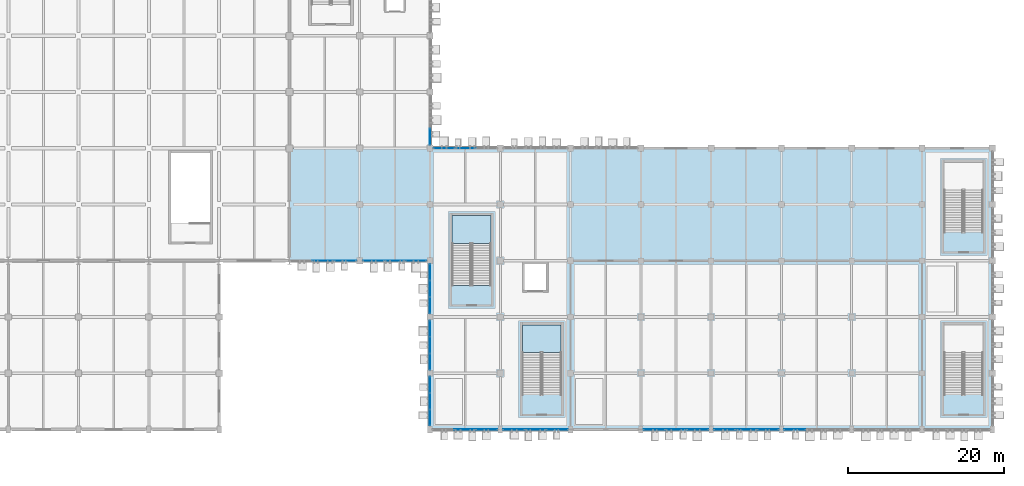
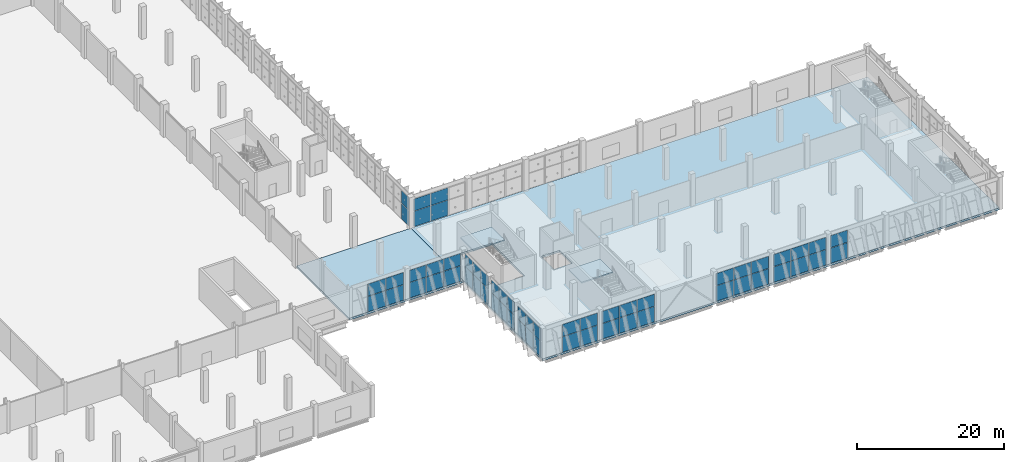
# One storey, part 73 of 137: 58 plates, 4 slabs, 14 elements without a shape of their own.
"""IFC4 building model written with IfcOpenShell, lengths in metres."""

from ifc_helpers import new_model, si_unit, direction, frame, origin, origin_2d, place, context, subcontext, project, spatial, polyline, rectangle, outline, extrude, material, layer, layer_set, type_object, element, aggregate, save


model = new_model("IFC4")

# Units and contexts
model_context = context("Model", 3, precision=1e-05, world=origin(), true_north=direction((0.0, 1.0)))
body_context = subcontext(model_context, "Body", "Model", "MODEL_VIEW")
ifc_project = project(units=[si_unit("LENGTHUNIT", "METRE"), si_unit("AREAUNIT", "SQUARE_METRE"), si_unit("VOLUMEUNIT", "CUBIC_METRE"), si_unit("PLANEANGLEUNIT", "RADIAN"), si_unit("MASSUNIT", "GRAM", prefix="KILO")], contexts=[model_context])

# Site, building, storey
site_placement = place(None, origin())
site = spatial("IfcSite", under=ifc_project, at=site_placement, CompositionType="ELEMENT")
building_placement = place(site_placement, origin())
building = spatial("IfcBuilding", under=site, at=building_placement, Name="Celestram Park Convention Centre", CompositionType="ELEMENT")
storey_placement = place(building_placement, origin())
storey = spatial("IfcBuildingStorey", under=building, at=storey_placement, Name="L00", CompositionType="ELEMENT", Elevation=0.0)

# Curtain wall, plates
ifc_material_1 = material(Name="Anodised Aluminium Alloy 6063-T6", Category="aluminium")
ifc_layer_1 = layer(ifc_material_1, 0.179931640625)
ifc_layer_set_1 = layer_set([ifc_layer_1], Name="Anodised Aluminium Alloy 6063-T6")
curtain_wall_type_1 = type_object("IfcCurtainWallType", Name="ARC-CW-640X482", PredefinedType="NOTDEFINED", material=ifc_layer_set_1)
curtain_wall_1_placement = place(storey_placement, origin())
curtain_wall_1 = element("IfcCurtainWall", 1, at=curtain_wall_1_placement, inside=storey, type_object=curtain_wall_type_1, Name="Unitised curtain wall CU-L00-017", PredefinedType="NOTDEFINED")
ifc_material_2 = material(Name="Insulated Glazing Unit 28 mm", Category="glass")
ifc_layer_2 = layer(ifc_material_2, 0.028076171875)
ifc_layer_set_2 = layer_set([ifc_layer_2], Name="Insulated Glazing Unit 28 mm")
plate_type_1 = type_object("IfcPlateType", Name="ARC-CWP-IGU28", PredefinedType="CURTAIN_PANEL", material=ifc_layer_set_2)
plate_1_placement = place(storey_placement, frame((144.0, 37.481689453125, 0.06005859375), z_axis=(0.0, 0.0, 1.0), x_axis=(0.0, -1.0, 0.0)))
plate_1 = element("IfcPlate", 2, at=plate_1_placement, type_object=plate_type_1, Name="CW-64X48 panel 3.1", PredefinedType="CURTAIN_PANEL", context=body_context, shape_type="SweptSolid", body=[
    extrude(rectangle(XDim=2.037109375, YDim=0.028076171875, at=origin_2d()), origin(), (0.0, 0.0, 1.0), 2.56005859375),
])
plate_2_placement = place(storey_placement, frame((144.0, 37.481689453125, 2.679931640625), z_axis=(0.0, 0.0, 1.0), x_axis=(0.0, -1.0, 0.0)))
plate_2 = element("IfcPlate", 3, at=plate_2_placement, type_object=plate_type_1, Name="CW-64X48 panel 3.2", PredefinedType="CURTAIN_PANEL", context=body_context, shape_type="SweptSolid", body=[
    extrude(rectangle(XDim=2.037109375, YDim=0.028076171875, at=origin_2d()), origin(), (0.0, 0.0, 1.0), 2.080078125),
])
aggregate(curtain_wall_1, [plate_1, plate_2])

ifc_layer_3 = layer(ifc_material_1, 0.179931640625)
ifc_layer_set_3 = layer_set([ifc_layer_3], Name="Anodised Aluminium Alloy 6063-T6")
curtain_wall_type_2 = type_object("IfcCurtainWallType", Name="ARC-CW-635X482", PredefinedType="NOTDEFINED", material=ifc_layer_set_3)
curtain_wall_2_placement = place(storey_placement, origin())
curtain_wall_2 = element("IfcCurtainWall", 4, at=curtain_wall_2_placement, inside=storey, type_object=curtain_wall_type_2, Name="Unitised curtain wall CU-L00-033", PredefinedType="NOTDEFINED")
plate_3_placement = place(storey_placement, frame((144.0, 1.523193359375, 0.06005859375), z_axis=(0.0, 0.0, 1.0), x_axis=(0.0, 1.0, 0.0)))
plate_3 = element("IfcPlate", 5, at=plate_3_placement, type_object=plate_type_1, Name="CW-63X48 panel 1.1", PredefinedType="CURTAIN_PANEL", context=body_context, shape_type="SweptSolid", body=[
    extrude(rectangle(XDim=2.0205078125, YDim=0.028076171875, at=origin_2d()), origin(), (0.0, 0.0, 1.0), 2.56005859375),
])
plate_4_placement = place(storey_placement, frame((144.0, 1.523193359375, 2.679931640625), z_axis=(0.0, 0.0, 1.0), x_axis=(0.0, 1.0, 0.0)))
plate_4 = element("IfcPlate", 6, at=plate_4_placement, type_object=plate_type_1, Name="CW-63X48 panel 1.2", PredefinedType="CURTAIN_PANEL", context=body_context, shape_type="SweptSolid", body=[
    extrude(rectangle(XDim=2.0205078125, YDim=0.028076171875, at=origin_2d()), origin(), (0.0, 0.0, 1.0), 2.080078125),
])
plate_5_placement = place(storey_placement, frame((144.0, 3.625, 0.06005859375), z_axis=(0.0, 0.0, 1.0), x_axis=(0.0, 1.0, 0.0)))
plate_5 = element("IfcPlate", 7, at=plate_5_placement, type_object=plate_type_1, Name="CW-63X48 panel 2.1", PredefinedType="CURTAIN_PANEL", context=body_context, shape_type="SweptSolid", body=[
    extrude(rectangle(XDim=2.052978515625, YDim=0.028076171875, at=origin_2d()), origin(), (0.0, 0.0, 1.0), 2.56005859375),
])
plate_6_placement = place(storey_placement, frame((144.0, 3.625, 2.679931640625), z_axis=(0.0, 0.0, 1.0), x_axis=(0.0, 1.0, 0.0)))
plate_6 = element("IfcPlate", 8, at=plate_6_placement, type_object=plate_type_1, Name="CW-63X48 panel 2.2", PredefinedType="CURTAIN_PANEL", context=body_context, shape_type="SweptSolid", body=[
    extrude(rectangle(XDim=2.052978515625, YDim=0.028076171875, at=origin_2d()), origin(), (0.0, 0.0, 1.0), 2.080078125),
])
plate_7_placement = place(storey_placement, frame((144.0, 5.726806640625, 0.06005859375), z_axis=(0.0, 0.0, 1.0), x_axis=(0.0, 1.0, 0.0)))
plate_7 = element("IfcPlate", 9, at=plate_7_placement, type_object=plate_type_1, Name="CW-63X48 panel 3.1", PredefinedType="CURTAIN_PANEL", context=body_context, shape_type="SweptSolid", body=[
    extrude(rectangle(XDim=2.0205078125, YDim=0.028076171875, at=origin_2d()), origin(), (0.0, 0.0, 1.0), 2.56005859375),
])
plate_8_placement = place(storey_placement, frame((144.0, 5.726806640625, 2.679931640625), z_axis=(0.0, 0.0, 1.0), x_axis=(0.0, 1.0, 0.0)))
plate_8 = element("IfcPlate", 10, at=plate_8_placement, type_object=plate_type_1, Name="CW-63X48 panel 3.2", PredefinedType="CURTAIN_PANEL", context=body_context, shape_type="SweptSolid", body=[
    extrude(rectangle(XDim=2.0205078125, YDim=0.028076171875, at=origin_2d()), origin(), (0.0, 0.0, 1.0), 2.080078125),
])
aggregate(curtain_wall_2, [plate_3, plate_4, plate_5, plate_6, plate_7, plate_8])

curtain_wall_3_placement = place(storey_placement, origin())
curtain_wall_3 = element("IfcCurtainWall", 11, at=curtain_wall_3_placement, inside=storey, type_object=curtain_wall_type_1, Name="Unitised curtain wall CU-L00-034", PredefinedType="NOTDEFINED")
plate_9_placement = place(storey_placement, frame((144.0, 8.681640625, 0.06005859375), z_axis=(0.0, 0.0, 1.0), x_axis=(0.0, 1.0, 0.0)))
plate_9 = element("IfcPlate", 12, at=plate_9_placement, type_object=plate_type_1, Name="CW-64X48 panel 1.1", PredefinedType="CURTAIN_PANEL", context=body_context, shape_type="SweptSolid", body=[
    extrude(rectangle(XDim=2.037109375, YDim=0.028076171875, at=origin_2d()), origin(), (0.0, 0.0, 1.0), 2.56005859375),
])
plate_10_placement = place(storey_placement, frame((144.0, 8.681640625, 2.679931640625), z_axis=(0.0, 0.0, 1.0), x_axis=(0.0, 1.0, 0.0)))
plate_10 = element("IfcPlate", 13, at=plate_10_placement, type_object=plate_type_1, Name="CW-64X48 panel 1.2", PredefinedType="CURTAIN_PANEL", context=body_context, shape_type="SweptSolid", body=[
    extrude(rectangle(XDim=2.037109375, YDim=0.028076171875, at=origin_2d()), origin(), (0.0, 0.0, 1.0), 2.080078125),
])
plate_11_placement = place(storey_placement, frame((144.0, 10.800048828125, 0.06005859375), z_axis=(0.0, 0.0, 1.0), x_axis=(0.0, 1.0, 0.0)))
plate_11 = element("IfcPlate", 14, at=plate_11_placement, type_object=plate_type_1, Name="CW-64X48 panel 2.1", PredefinedType="CURTAIN_PANEL", context=body_context, shape_type="SweptSolid", body=[
    extrude(rectangle(XDim=2.069580078125, YDim=0.028076171875, at=origin_2d()), origin(), (0.0, 0.0, 1.0), 2.56005859375),
])
plate_12_placement = place(storey_placement, frame((144.0, 10.800048828125, 2.679931640625), z_axis=(0.0, 0.0, 1.0), x_axis=(0.0, 1.0, 0.0)))
plate_12 = element("IfcPlate", 15, at=plate_12_placement, type_object=plate_type_1, Name="CW-64X48 panel 2.2", PredefinedType="CURTAIN_PANEL", context=body_context, shape_type="SweptSolid", body=[
    extrude(rectangle(XDim=2.069580078125, YDim=0.028076171875, at=origin_2d()), origin(), (0.0, 0.0, 1.0), 2.080078125),
])
plate_13_placement = place(storey_placement, frame((144.0, 12.91845703125, 0.06005859375), z_axis=(0.0, 0.0, 1.0), x_axis=(0.0, 1.0, 0.0)))
plate_13 = element("IfcPlate", 16, at=plate_13_placement, type_object=plate_type_1, Name="CW-64X48 panel 3.1", PredefinedType="CURTAIN_PANEL", context=body_context, shape_type="SweptSolid", body=[
    extrude(rectangle(XDim=2.037109375, YDim=0.028076171875, at=origin_2d()), origin(), (0.0, 0.0, 1.0), 2.56005859375),
])
plate_14_placement = place(storey_placement, frame((144.0, 12.91845703125, 2.679931640625), z_axis=(0.0, 0.0, 1.0), x_axis=(0.0, 1.0, 0.0)))
plate_14 = element("IfcPlate", 17, at=plate_14_placement, type_object=plate_type_1, Name="CW-64X48 panel 3.2", PredefinedType="CURTAIN_PANEL", context=body_context, shape_type="SweptSolid", body=[
    extrude(rectangle(XDim=2.037109375, YDim=0.028076171875, at=origin_2d()), origin(), (0.0, 0.0, 1.0), 2.080078125),
])
aggregate(curtain_wall_3, [plate_9, plate_10, plate_11, plate_12, plate_13, plate_14])

curtain_wall_4_placement = place(storey_placement, origin())
curtain_wall_4 = element("IfcCurtainWall", 18, at=curtain_wall_4_placement, inside=storey, type_object=curtain_wall_type_1, Name="Unitised curtain wall CU-L00-035", PredefinedType="NOTDEFINED")
plate_15_placement = place(storey_placement, frame((144.0, 15.881591796875, 0.06005859375), z_axis=(0.0, 0.0, 1.0), x_axis=(0.0, 1.0, 0.0)))
plate_15 = element("IfcPlate", 19, at=plate_15_placement, type_object=plate_type_1, Name="CW-64X48 panel 1.1", PredefinedType="CURTAIN_PANEL", context=body_context, shape_type="SweptSolid", body=[
    extrude(rectangle(XDim=2.037109375, YDim=0.028076171875, at=origin_2d()), origin(), (0.0, 0.0, 1.0), 2.56005859375),
])
plate_16_placement = place(storey_placement, frame((144.0, 15.881591796875, 2.679931640625), z_axis=(0.0, 0.0, 1.0), x_axis=(0.0, 1.0, 0.0)))
plate_16 = element("IfcPlate", 20, at=plate_16_placement, type_object=plate_type_1, Name="CW-64X48 panel 1.2", PredefinedType="CURTAIN_PANEL", context=body_context, shape_type="SweptSolid", body=[
    extrude(rectangle(XDim=2.037109375, YDim=0.028076171875, at=origin_2d()), origin(), (0.0, 0.0, 1.0), 2.080078125),
])
plate_17_placement = place(storey_placement, frame((144.0, 18.0, 0.06005859375), z_axis=(0.0, 0.0, 1.0), x_axis=(0.0, 1.0, 0.0)))
plate_17 = element("IfcPlate", 21, at=plate_17_placement, type_object=plate_type_1, Name="CW-64X48 panel 2.1", PredefinedType="CURTAIN_PANEL", context=body_context, shape_type="SweptSolid", body=[
    extrude(rectangle(XDim=2.069580078125, YDim=0.028076171875, at=origin_2d()), origin(), (0.0, 0.0, 1.0), 2.56005859375),
])
plate_18_placement = place(storey_placement, frame((144.0, 18.0, 2.679931640625), z_axis=(0.0, 0.0, 1.0), x_axis=(0.0, 1.0, 0.0)))
plate_18 = element("IfcPlate", 22, at=plate_18_placement, type_object=plate_type_1, Name="CW-64X48 panel 2.2", PredefinedType="CURTAIN_PANEL", context=body_context, shape_type="SweptSolid", body=[
    extrude(rectangle(XDim=2.069580078125, YDim=0.028076171875, at=origin_2d()), origin(), (0.0, 0.0, 1.0), 2.080078125),
])
plate_19_placement = place(storey_placement, frame((144.0, 20.118408203125, 0.06005859375), z_axis=(0.0, 0.0, 1.0), x_axis=(0.0, 1.0, 0.0)))
plate_19 = element("IfcPlate", 23, at=plate_19_placement, type_object=plate_type_1, Name="CW-64X48 panel 3.1", PredefinedType="CURTAIN_PANEL", context=body_context, shape_type="SweptSolid", body=[
    extrude(rectangle(XDim=2.037109375, YDim=0.028076171875, at=origin_2d()), origin(), (0.0, 0.0, 1.0), 2.56005859375),
])
plate_20_placement = place(storey_placement, frame((144.0, 20.118408203125, 2.679931640625), z_axis=(0.0, 0.0, 1.0), x_axis=(0.0, 1.0, 0.0)))
plate_20 = element("IfcPlate", 24, at=plate_20_placement, type_object=plate_type_1, Name="CW-64X48 panel 3.2", PredefinedType="CURTAIN_PANEL", context=body_context, shape_type="SweptSolid", body=[
    extrude(rectangle(XDim=2.037109375, YDim=0.028076171875, at=origin_2d()), origin(), (0.0, 0.0, 1.0), 2.080078125),
])
aggregate(curtain_wall_4, [plate_15, plate_16, plate_17, plate_18, plate_19, plate_20])

ifc_layer_4 = layer(ifc_material_1, 0.179931640625)
ifc_layer_set_4 = layer_set([ifc_layer_4], Name="Anodised Aluminium Alloy 6063-T6")
curtain_wall_type_3 = type_object("IfcCurtainWallType", Name="ARC-CW-820X475", PredefinedType="NOTDEFINED", material=ifc_layer_set_4)
curtain_wall_5_placement = place(storey_placement, origin())
curtain_wall_5 = element("IfcCurtainWall", 25, at=curtain_wall_5_placement, inside=storey, type_object=curtain_wall_type_3, Name="Unitised curtain wall CU-L00-018", PredefinedType="NOTDEFINED")
ifc_material_3 = material(Name="Insulated Glazing Unit 38 mm", Category="glass")
ifc_layer_5 = layer(ifc_material_3, 0.0380859375)
ifc_layer_set_5 = layer_set([ifc_layer_5], Name="Insulated Glazing Unit 38 mm")
plate_type_2 = type_object("IfcPlateType", Name="ARC-CWP-IGU38", PredefinedType="CURTAIN_PANEL", material=ifc_layer_set_5)
plate_21_placement = place(storey_placement, frame((145.7841796875, 36.0, 0.06494140625), z_axis=(0.0, 0.0, 1.0), x_axis=(1.0, 0.0, 0.0)))
plate_21 = element("IfcPlate", 26, at=plate_21_placement, type_object=plate_type_2, Name="CW-82X47 panel 1.1", PredefinedType="CURTAIN_PANEL", context=body_context, shape_type="SweptSolid", body=[
    extrude(rectangle(XDim=2.6220703125, YDim=0.0380859375, at=origin_2d()), origin(), (0.0, 0.0, 1.0), 2.552490234375),
])
plate_22_placement = place(storey_placement, frame((145.7841796875, 36.0, 2.682373046875), z_axis=(0.0, 0.0, 1.0), x_axis=(1.0, 0.0, 0.0)))
plate_22 = element("IfcPlate", 27, at=plate_22_placement, type_object=plate_type_2, Name="CW-82X47 panel 1.2", PredefinedType="CURTAIN_PANEL", context=body_context, shape_type="SweptSolid", body=[
    extrude(rectangle(XDim=2.6220703125, YDim=0.0380859375, at=origin_2d()), origin(), (0.0, 0.0, 1.0), 1.99951171875),
])
plate_23_placement = place(storey_placement, frame((148.5, 36.0, 0.06494140625), z_axis=(0.0, 0.0, 1.0), x_axis=(1.0, 0.0, 0.0)))
plate_23 = element("IfcPlate", 28, at=plate_23_placement, type_object=plate_type_2, Name="CW-82X47 panel 2.1", PredefinedType="CURTAIN_PANEL", context=body_context, shape_type="SweptSolid", body=[
    extrude(rectangle(XDim=2.65966796875, YDim=0.0380859375, at=origin_2d()), origin(), (0.0, 0.0, 1.0), 2.552490234375),
])
plate_24_placement = place(storey_placement, frame((148.5, 36.0, 2.682373046875), z_axis=(0.0, 0.0, 1.0), x_axis=(1.0, 0.0, 0.0)))
plate_24 = element("IfcPlate", 29, at=plate_24_placement, type_object=plate_type_2, Name="CW-82X47 panel 2.2", PredefinedType="CURTAIN_PANEL", context=body_context, shape_type="SweptSolid", body=[
    extrude(rectangle(XDim=2.65966796875, YDim=0.0380859375, at=origin_2d()), origin(), (0.0, 0.0, 1.0), 1.99951171875),
])
aggregate(curtain_wall_5, [plate_21, plate_22, plate_23, plate_24])

ifc_layer_6 = layer(ifc_material_1, 0.179931640625)
ifc_layer_set_6 = layer_set([ifc_layer_6], Name="Anodised Aluminium Alloy 6063-T6")
curtain_wall_type_4 = type_object("IfcCurtainWallType", Name="ARC-CW-840X475", PredefinedType="NOTDEFINED", material=ifc_layer_set_6)
curtain_wall_6_placement = place(storey_placement, origin())
curtain_wall_6 = element("IfcCurtainWall", 30, at=curtain_wall_6_placement, inside=storey, type_object=curtain_wall_type_4, Name="Unitised curtain wall CU-L00-028", PredefinedType="NOTDEFINED")
plate_25_placement = place(storey_placement, frame((190.717529296875, 0.0, 0.06494140625), z_axis=(0.0, 0.0, 1.0), x_axis=(-1.0, 0.0, 0.0)))
plate_25 = element("IfcPlate", 31, at=plate_25_placement, type_object=plate_type_2, Name="CW-84X47 panel 3.1", PredefinedType="CURTAIN_PANEL", context=body_context, shape_type="SweptSolid", body=[
    extrude(rectangle(XDim=2.688720703125, YDim=0.0380859375, at=origin_2d()), origin(), (0.0, 0.0, 1.0), 2.552490234375),
])
plate_26_placement = place(storey_placement, frame((190.717529296875, 0.0, 2.682373046875), z_axis=(0.0, 0.0, 1.0), x_axis=(-1.0, 0.0, 0.0)))
plate_26 = element("IfcPlate", 32, at=plate_26_placement, type_object=plate_type_2, Name="CW-84X47 panel 3.2", PredefinedType="CURTAIN_PANEL", context=body_context, shape_type="SweptSolid", body=[
    extrude(rectangle(XDim=2.688720703125, YDim=0.0380859375, at=origin_2d()), origin(), (0.0, 0.0, 1.0), 1.99951171875),
])
aggregate(curtain_wall_6, [plate_25, plate_26])

curtain_wall_7_placement = place(storey_placement, origin())
curtain_wall_7 = element("IfcCurtainWall", 33, at=curtain_wall_7_placement, inside=storey, type_object=curtain_wall_type_4, Name="Unitised curtain wall CU-L00-029", PredefinedType="NOTDEFINED")
plate_27_placement = place(storey_placement, frame((187.282470703125, 0.0, 0.06494140625), z_axis=(0.0, 0.0, 1.0), x_axis=(-1.0, 0.0, 0.0)))
plate_27 = element("IfcPlate", 34, at=plate_27_placement, type_object=plate_type_2, Name="CW-84X47 panel 1.1", PredefinedType="CURTAIN_PANEL", context=body_context, shape_type="SweptSolid", body=[
    extrude(rectangle(XDim=2.688720703125, YDim=0.0380859375, at=origin_2d()), origin(), (0.0, 0.0, 1.0), 2.552490234375),
])
plate_28_placement = place(storey_placement, frame((187.282470703125, 0.0, 2.682373046875), z_axis=(0.0, 0.0, 1.0), x_axis=(-1.0, 0.0, 0.0)))
plate_28 = element("IfcPlate", 35, at=plate_28_placement, type_object=plate_type_2, Name="CW-84X47 panel 1.2", PredefinedType="CURTAIN_PANEL", context=body_context, shape_type="SweptSolid", body=[
    extrude(rectangle(XDim=2.688720703125, YDim=0.0380859375, at=origin_2d()), origin(), (0.0, 0.0, 1.0), 1.99951171875),
])
plate_29_placement = place(storey_placement, frame((184.5, 0.0, 0.06494140625), z_axis=(0.0, 0.0, 1.0), x_axis=(-1.0, 0.0, 0.0)))
plate_29 = element("IfcPlate", 36, at=plate_29_placement, type_object=plate_type_2, Name="CW-84X47 panel 2.1", PredefinedType="CURTAIN_PANEL", context=body_context, shape_type="SweptSolid", body=[
    extrude(rectangle(XDim=2.726318359375, YDim=0.0380859375, at=origin_2d()), origin(), (0.0, 0.0, 1.0), 2.552490234375),
])
plate_30_placement = place(storey_placement, frame((184.5, 0.0, 2.682373046875), z_axis=(0.0, 0.0, 1.0), x_axis=(-1.0, 0.0, 0.0)))
plate_30 = element("IfcPlate", 37, at=plate_30_placement, type_object=plate_type_2, Name="CW-84X47 panel 2.2", PredefinedType="CURTAIN_PANEL", context=body_context, shape_type="SweptSolid", body=[
    extrude(rectangle(XDim=2.726318359375, YDim=0.0380859375, at=origin_2d()), origin(), (0.0, 0.0, 1.0), 1.99951171875),
])
plate_31_placement = place(storey_placement, frame((181.717529296875, 0.0, 0.06494140625), z_axis=(0.0, 0.0, 1.0), x_axis=(-1.0, 0.0, 0.0)))
plate_31 = element("IfcPlate", 38, at=plate_31_placement, type_object=plate_type_2, Name="CW-84X47 panel 3.1", PredefinedType="CURTAIN_PANEL", context=body_context, shape_type="SweptSolid", body=[
    extrude(rectangle(XDim=2.688720703125, YDim=0.0380859375, at=origin_2d()), origin(), (0.0, 0.0, 1.0), 2.552490234375),
])
plate_32_placement = place(storey_placement, frame((181.717529296875, 0.0, 2.682373046875), z_axis=(0.0, 0.0, 1.0), x_axis=(-1.0, 0.0, 0.0)))
plate_32 = element("IfcPlate", 39, at=plate_32_placement, type_object=plate_type_2, Name="CW-84X47 panel 3.2", PredefinedType="CURTAIN_PANEL", context=body_context, shape_type="SweptSolid", body=[
    extrude(rectangle(XDim=2.688720703125, YDim=0.0380859375, at=origin_2d()), origin(), (0.0, 0.0, 1.0), 1.99951171875),
])
aggregate(curtain_wall_7, [plate_27, plate_28, plate_29, plate_30, plate_31, plate_32])

curtain_wall_8_placement = place(storey_placement, origin())
curtain_wall_8 = element("IfcCurtainWall", 40, at=curtain_wall_8_placement, inside=storey, type_object=curtain_wall_type_4, Name="Unitised curtain wall CU-L00-030", PredefinedType="NOTDEFINED")
plate_33_placement = place(storey_placement, frame((178.282470703125, 0.0, 0.06494140625), z_axis=(0.0, 0.0, 1.0), x_axis=(-1.0, 0.0, 0.0)))
plate_33 = element("IfcPlate", 41, at=plate_33_placement, type_object=plate_type_2, Name="CW-84X47 panel 1.1", PredefinedType="CURTAIN_PANEL", context=body_context, shape_type="SweptSolid", body=[
    extrude(rectangle(XDim=2.688720703125, YDim=0.0380859375, at=origin_2d()), origin(), (0.0, 0.0, 1.0), 2.552490234375),
])
plate_34_placement = place(storey_placement, frame((178.282470703125, 0.0, 2.682373046875), z_axis=(0.0, 0.0, 1.0), x_axis=(-1.0, 0.0, 0.0)))
plate_34 = element("IfcPlate", 42, at=plate_34_placement, type_object=plate_type_2, Name="CW-84X47 panel 1.2", PredefinedType="CURTAIN_PANEL", context=body_context, shape_type="SweptSolid", body=[
    extrude(rectangle(XDim=2.688720703125, YDim=0.0380859375, at=origin_2d()), origin(), (0.0, 0.0, 1.0), 1.99951171875),
])
plate_35_placement = place(storey_placement, frame((175.5, 0.0, 0.06494140625), z_axis=(0.0, 0.0, 1.0), x_axis=(-1.0, 0.0, 0.0)))
plate_35 = element("IfcPlate", 43, at=plate_35_placement, type_object=plate_type_2, Name="CW-84X47 panel 2.1", PredefinedType="CURTAIN_PANEL", context=body_context, shape_type="SweptSolid", body=[
    extrude(rectangle(XDim=2.726318359375, YDim=0.0380859375, at=origin_2d()), origin(), (0.0, 0.0, 1.0), 2.552490234375),
])
plate_36_placement = place(storey_placement, frame((175.5, 0.0, 2.682373046875), z_axis=(0.0, 0.0, 1.0), x_axis=(-1.0, 0.0, 0.0)))
plate_36 = element("IfcPlate", 44, at=plate_36_placement, type_object=plate_type_2, Name="CW-84X47 panel 2.2", PredefinedType="CURTAIN_PANEL", context=body_context, shape_type="SweptSolid", body=[
    extrude(rectangle(XDim=2.726318359375, YDim=0.0380859375, at=origin_2d()), origin(), (0.0, 0.0, 1.0), 1.99951171875),
])
plate_37_placement = place(storey_placement, frame((172.717529296875, 0.0, 0.06494140625), z_axis=(0.0, 0.0, 1.0), x_axis=(-1.0, 0.0, 0.0)))
plate_37 = element("IfcPlate", 45, at=plate_37_placement, type_object=plate_type_2, Name="CW-84X47 panel 3.1", PredefinedType="CURTAIN_PANEL", context=body_context, shape_type="SweptSolid", body=[
    extrude(rectangle(XDim=2.688720703125, YDim=0.0380859375, at=origin_2d()), origin(), (0.0, 0.0, 1.0), 2.552490234375),
])
plate_38_placement = place(storey_placement, frame((172.717529296875, 0.0, 2.682373046875), z_axis=(0.0, 0.0, 1.0), x_axis=(-1.0, 0.0, 0.0)))
plate_38 = element("IfcPlate", 46, at=plate_38_placement, type_object=plate_type_2, Name="CW-84X47 panel 3.2", PredefinedType="CURTAIN_PANEL", context=body_context, shape_type="SweptSolid", body=[
    extrude(rectangle(XDim=2.688720703125, YDim=0.0380859375, at=origin_2d()), origin(), (0.0, 0.0, 1.0), 1.99951171875),
])
aggregate(curtain_wall_8, [plate_33, plate_34, plate_35, plate_36, plate_37, plate_38])

curtain_wall_9_placement = place(storey_placement, origin())
curtain_wall_9 = element("IfcCurtainWall", 47, at=curtain_wall_9_placement, inside=storey, type_object=curtain_wall_type_4, Name="Unitised curtain wall CU-L00-031", PredefinedType="NOTDEFINED")
plate_39_placement = place(storey_placement, frame((160.282470703125, 0.0, 0.06494140625), z_axis=(0.0, 0.0, 1.0), x_axis=(-1.0, 0.0, 0.0)))
plate_39 = element("IfcPlate", 48, at=plate_39_placement, type_object=plate_type_2, Name="CW-84X47 panel 1.1", PredefinedType="CURTAIN_PANEL", context=body_context, shape_type="SweptSolid", body=[
    extrude(rectangle(XDim=2.688720703125, YDim=0.0380859375, at=origin_2d()), origin(), (0.0, 0.0, 1.0), 2.552490234375),
])
plate_40_placement = place(storey_placement, frame((160.282470703125, 0.0, 2.682373046875), z_axis=(0.0, 0.0, 1.0), x_axis=(-1.0, 0.0, 0.0)))
plate_40 = element("IfcPlate", 49, at=plate_40_placement, type_object=plate_type_2, Name="CW-84X47 panel 1.2", PredefinedType="CURTAIN_PANEL", context=body_context, shape_type="SweptSolid", body=[
    extrude(rectangle(XDim=2.688720703125, YDim=0.0380859375, at=origin_2d()), origin(), (0.0, 0.0, 1.0), 1.99951171875),
])
plate_41_placement = place(storey_placement, frame((157.5, 0.0, 0.06494140625), z_axis=(0.0, 0.0, 1.0), x_axis=(-1.0, 0.0, 0.0)))
plate_41 = element("IfcPlate", 50, at=plate_41_placement, type_object=plate_type_2, Name="CW-84X47 panel 2.1", PredefinedType="CURTAIN_PANEL", context=body_context, shape_type="SweptSolid", body=[
    extrude(rectangle(XDim=2.726318359375, YDim=0.0380859375, at=origin_2d()), origin(), (0.0, 0.0, 1.0), 2.552490234375),
])
plate_42_placement = place(storey_placement, frame((157.5, 0.0, 2.682373046875), z_axis=(0.0, 0.0, 1.0), x_axis=(-1.0, 0.0, 0.0)))
plate_42 = element("IfcPlate", 51, at=plate_42_placement, type_object=plate_type_2, Name="CW-84X47 panel 2.2", PredefinedType="CURTAIN_PANEL", context=body_context, shape_type="SweptSolid", body=[
    extrude(rectangle(XDim=2.726318359375, YDim=0.0380859375, at=origin_2d()), origin(), (0.0, 0.0, 1.0), 1.99951171875),
])
plate_43_placement = place(storey_placement, frame((154.717529296875, 0.0, 0.06494140625), z_axis=(0.0, 0.0, 1.0), x_axis=(-1.0, 0.0, 0.0)))
plate_43 = element("IfcPlate", 52, at=plate_43_placement, type_object=plate_type_2, Name="CW-84X47 panel 3.1", PredefinedType="CURTAIN_PANEL", context=body_context, shape_type="SweptSolid", body=[
    extrude(rectangle(XDim=2.688720703125, YDim=0.0380859375, at=origin_2d()), origin(), (0.0, 0.0, 1.0), 2.552490234375),
])
plate_44_placement = place(storey_placement, frame((154.717529296875, 0.0, 2.682373046875), z_axis=(0.0, 0.0, 1.0), x_axis=(-1.0, 0.0, 0.0)))
plate_44 = element("IfcPlate", 53, at=plate_44_placement, type_object=plate_type_2, Name="CW-84X47 panel 3.2", PredefinedType="CURTAIN_PANEL", context=body_context, shape_type="SweptSolid", body=[
    extrude(rectangle(XDim=2.688720703125, YDim=0.0380859375, at=origin_2d()), origin(), (0.0, 0.0, 1.0), 1.99951171875),
])
aggregate(curtain_wall_9, [plate_39, plate_40, plate_41, plate_42, plate_43, plate_44])

curtain_wall_10_placement = place(storey_placement, origin())
curtain_wall_10 = element("IfcCurtainWall", 54, at=curtain_wall_10_placement, inside=storey, type_object=curtain_wall_type_4, Name="Unitised curtain wall CU-L00-032", PredefinedType="NOTDEFINED")
plate_45_placement = place(storey_placement, frame((151.282470703125, 0.0, 0.06494140625), z_axis=(0.0, 0.0, 1.0), x_axis=(-1.0, 0.0, 0.0)))
plate_45 = element("IfcPlate", 55, at=plate_45_placement, type_object=plate_type_2, Name="CW-84X47 panel 1.1", PredefinedType="CURTAIN_PANEL", context=body_context, shape_type="SweptSolid", body=[
    extrude(rectangle(XDim=2.688720703125, YDim=0.0380859375, at=origin_2d()), origin(), (0.0, 0.0, 1.0), 2.552490234375),
])
plate_46_placement = place(storey_placement, frame((151.282470703125, 0.0, 2.682373046875), z_axis=(0.0, 0.0, 1.0), x_axis=(-1.0, 0.0, 0.0)))
plate_46 = element("IfcPlate", 56, at=plate_46_placement, type_object=plate_type_2, Name="CW-84X47 panel 1.2", PredefinedType="CURTAIN_PANEL", context=body_context, shape_type="SweptSolid", body=[
    extrude(rectangle(XDim=2.688720703125, YDim=0.0380859375, at=origin_2d()), origin(), (0.0, 0.0, 1.0), 1.99951171875),
])
plate_47_placement = place(storey_placement, frame((148.5, 0.0, 0.06494140625), z_axis=(0.0, 0.0, 1.0), x_axis=(-1.0, 0.0, 0.0)))
plate_47 = element("IfcPlate", 57, at=plate_47_placement, type_object=plate_type_2, Name="CW-84X47 panel 2.1", PredefinedType="CURTAIN_PANEL", context=body_context, shape_type="SweptSolid", body=[
    extrude(rectangle(XDim=2.726318359375, YDim=0.0380859375, at=origin_2d()), origin(), (0.0, 0.0, 1.0), 2.552490234375),
])
plate_48_placement = place(storey_placement, frame((148.5, 0.0, 2.682373046875), z_axis=(0.0, 0.0, 1.0), x_axis=(-1.0, 0.0, 0.0)))
plate_48 = element("IfcPlate", 58, at=plate_48_placement, type_object=plate_type_2, Name="CW-84X47 panel 2.2", PredefinedType="CURTAIN_PANEL", context=body_context, shape_type="SweptSolid", body=[
    extrude(rectangle(XDim=2.726318359375, YDim=0.0380859375, at=origin_2d()), origin(), (0.0, 0.0, 1.0), 1.99951171875),
])
aggregate(curtain_wall_10, [plate_45, plate_46, plate_47, plate_48])

curtain_wall_11_placement = place(storey_placement, origin())
curtain_wall_11 = element("IfcCurtainWall", 59, at=curtain_wall_11_placement, inside=storey, type_object=curtain_wall_type_3, Name="Unitised curtain wall CU-L00-036", PredefinedType="NOTDEFINED")
plate_49_placement = place(storey_placement, frame((142.2158203125, 21.60009765625, 0.06494140625), z_axis=(0.0, 0.0, 1.0), x_axis=(-1.0, 0.0, 0.0)))
plate_49 = element("IfcPlate", 60, at=plate_49_placement, type_object=plate_type_2, Name="CW-82X47 panel 1.1", PredefinedType="CURTAIN_PANEL", context=body_context, shape_type="SweptSolid", body=[
    extrude(rectangle(XDim=2.6220703125, YDim=0.0380859375, at=origin_2d()), origin(), (0.0, 0.0, 1.0), 2.552490234375),
])
plate_50_placement = place(storey_placement, frame((142.2158203125, 21.60009765625, 2.682373046875), z_axis=(0.0, 0.0, 1.0), x_axis=(-1.0, 0.0, 0.0)))
plate_50 = element("IfcPlate", 61, at=plate_50_placement, type_object=plate_type_2, Name="CW-82X47 panel 1.2", PredefinedType="CURTAIN_PANEL", context=body_context, shape_type="SweptSolid", body=[
    extrude(rectangle(XDim=2.6220703125, YDim=0.0380859375, at=origin_2d()), origin(), (0.0, 0.0, 1.0), 1.99951171875),
])
plate_51_placement = place(storey_placement, frame((139.5, 21.60009765625, 0.06494140625), z_axis=(0.0, 0.0, 1.0), x_axis=(-1.0, 0.0, 0.0)))
plate_51 = element("IfcPlate", 62, at=plate_51_placement, type_object=plate_type_2, Name="CW-82X47 panel 2.1", PredefinedType="CURTAIN_PANEL", context=body_context, shape_type="SweptSolid", body=[
    extrude(rectangle(XDim=2.65966796875, YDim=0.0380859375, at=origin_2d()), origin(), (0.0, 0.0, 1.0), 2.552490234375),
])
plate_52_placement = place(storey_placement, frame((139.5, 21.60009765625, 2.682373046875), z_axis=(0.0, 0.0, 1.0), x_axis=(-1.0, 0.0, 0.0)))
plate_52 = element("IfcPlate", 63, at=plate_52_placement, type_object=plate_type_2, Name="CW-82X47 panel 2.2", PredefinedType="CURTAIN_PANEL", context=body_context, shape_type="SweptSolid", body=[
    extrude(rectangle(XDim=2.65966796875, YDim=0.0380859375, at=origin_2d()), origin(), (0.0, 0.0, 1.0), 1.99951171875),
])
plate_53_placement = place(storey_placement, frame((136.7841796875, 21.60009765625, 0.06494140625), z_axis=(0.0, 0.0, 1.0), x_axis=(-1.0, 0.0, 0.0)))
plate_53 = element("IfcPlate", 64, at=plate_53_placement, type_object=plate_type_2, Name="CW-82X47 panel 3.1", PredefinedType="CURTAIN_PANEL", context=body_context, shape_type="SweptSolid", body=[
    extrude(rectangle(XDim=2.6220703125, YDim=0.0380859375, at=origin_2d()), origin(), (0.0, 0.0, 1.0), 2.552490234375),
])
plate_54_placement = place(storey_placement, frame((136.7841796875, 21.60009765625, 2.682373046875), z_axis=(0.0, 0.0, 1.0), x_axis=(-1.0, 0.0, 0.0)))
plate_54 = element("IfcPlate", 65, at=plate_54_placement, type_object=plate_type_2, Name="CW-82X47 panel 3.2", PredefinedType="CURTAIN_PANEL", context=body_context, shape_type="SweptSolid", body=[
    extrude(rectangle(XDim=2.6220703125, YDim=0.0380859375, at=origin_2d()), origin(), (0.0, 0.0, 1.0), 1.99951171875),
])
aggregate(curtain_wall_11, [plate_49, plate_50, plate_51, plate_52, plate_53, plate_54])

ifc_layer_7 = layer(ifc_material_1, 0.179931640625)
ifc_layer_set_7 = layer_set([ifc_layer_7], Name="Anodised Aluminium Alloy 6063-T6")
curtain_wall_type_5 = type_object("IfcCurtainWallType", Name="ARC-CW-859X475", PredefinedType="NOTDEFINED", material=ifc_layer_set_7)
curtain_wall_12_placement = place(storey_placement, origin())
curtain_wall_12 = element("IfcCurtainWall", 66, at=curtain_wall_12_placement, inside=storey, type_object=curtain_wall_type_5, Name="Unitised curtain wall CU-L00-037", PredefinedType="NOTDEFINED")
plate_55_placement = place(storey_placement, frame((133.1513671875, 21.60009765625, 0.06494140625), z_axis=(0.0, 0.0, 1.0), x_axis=(-1.0, 0.0, 0.0)))
plate_55 = element("IfcPlate", 67, at=plate_55_placement, type_object=plate_type_2, Name="CW-85X47 panel 1.1", PredefinedType="CURTAIN_PANEL", context=body_context, shape_type="SweptSolid", body=[
    extrude(rectangle(XDim=2.75146484375, YDim=0.0380859375, at=origin_2d()), origin(), (0.0, 0.0, 1.0), 2.552490234375),
])
plate_56_placement = place(storey_placement, frame((133.1513671875, 21.60009765625, 2.682373046875), z_axis=(0.0, 0.0, 1.0), x_axis=(-1.0, 0.0, 0.0)))
plate_56 = element("IfcPlate", 68, at=plate_56_placement, type_object=plate_type_2, Name="CW-85X47 panel 1.2", PredefinedType="CURTAIN_PANEL", context=body_context, shape_type="SweptSolid", body=[
    extrude(rectangle(XDim=2.75146484375, YDim=0.0380859375, at=origin_2d()), origin(), (0.0, 0.0, 1.0), 1.99951171875),
])
plate_57_placement = place(storey_placement, frame((130.305908203125, 21.60009765625, 0.06494140625), z_axis=(0.0, 0.0, 1.0), x_axis=(-1.0, 0.0, 0.0)))
plate_57 = element("IfcPlate", 69, at=plate_57_placement, type_object=plate_type_2, Name="CW-85X47 panel 2.1", PredefinedType="CURTAIN_PANEL", context=body_context, shape_type="SweptSolid", body=[
    extrude(rectangle(XDim=2.7890625, YDim=0.0380859375, at=origin_2d()), origin(), (0.0, 0.0, 1.0), 2.552490234375),
])
plate_58_placement = place(storey_placement, frame((130.305908203125, 21.60009765625, 2.682373046875), z_axis=(0.0, 0.0, 1.0), x_axis=(-1.0, 0.0, 0.0)))
plate_58 = element("IfcPlate", 70, at=plate_58_placement, type_object=plate_type_2, Name="CW-85X47 panel 2.2", PredefinedType="CURTAIN_PANEL", context=body_context, shape_type="SweptSolid", body=[
    extrude(rectangle(XDim=2.7890625, YDim=0.0380859375, at=origin_2d()), origin(), (0.0, 0.0, 1.0), 1.99951171875),
])
aggregate(curtain_wall_12, [plate_55, plate_56, plate_57, plate_58])

# Slabs
ifc_material_4 = material(Name="Concrete C35/45", Category="concrete")
ifc_layer_8 = layer(ifc_material_4, 0.320068359375)
ifc_layer_set_8 = layer_set([ifc_layer_8], Name="Concrete C35/45")
slab_type_1 = type_object("IfcSlabType", Name="STR-SLB-DCK320", PredefinedType="FLOOR", material=ifc_layer_set_8)
slab_1_placement = place(storey_placement, frame((0.0, 0.0, -0.320068359375)))
element("IfcSlab", 71, at=slab_1_placement, inside=storey, type_object=slab_type_1, Name="Floor slab L00-LNK", PredefinedType="FLOOR", context=body_context, shape_type="SweptSolid", body=[
    extrude(outline(polyline([(126.0, 21.60009765625), (126.0, 36.0), (144.0, 36.0), (144.0, 21.60009765625), (126.0, 21.60009765625)])), origin(), (0.0, 0.0, 1.0), 0.320068359375),
])
slab_2_placement = place(storey_placement, frame((0.0, 0.0, -0.320068359375)))
element("IfcSlab", 72, at=slab_2_placement, inside=storey, type_object=slab_type_1, Name="Floor slab L00-BLR", PredefinedType="FLOOR", context=body_context, shape_type="SweptSolid", body=[
    extrude(outline(polyline([(144.0, 0.0), (144.0, 36.0), (216.0, 36.0), (216.0, 0.0), (144.0, 0.0)]), holes=[polyline([(158.949951171875, 17.75), (158.949951171875, 21.25), (156.050048828125, 21.25), (156.050048828125, 17.75), (158.949951171875, 17.75)]), polyline([(151.800048828125, 27.39990234375), (146.840087890625, 27.39990234375), (146.840087890625, 18.406005859375), (151.800048828125, 18.406005859375), (151.800048828125, 27.39990234375)])]), origin(), (0.0, 0.0, 1.0), 0.320068359375),
])

# Stair, slab
ifc_material_5 = material(Name="Precast Concrete C40/50", Category="concrete")
stair_type = type_object("IfcStairType", Name="ARC-STR-DOG54", PredefinedType="HALF_TURN_STAIR", material=ifc_material_5)
stair_1_placement = place(storey_placement, origin())
stair_1 = element("IfcStair", 73, at=stair_1_placement, inside=storey, type_object=stair_type, Name="L00 Core C6 stair ST-06", PredefinedType="HALF_TURN_STAIR")
ifc_layer_9 = layer(ifc_material_4, 0.199951171875)
ifc_layer_set_9 = layer_set([ifc_layer_9], Name="Concrete C35/45")
slab_type_2 = type_object("IfcSlabType", Name="STR-SLB-LND200", PredefinedType="LANDING", material=ifc_layer_set_9)
slab_3_placement = place(storey_placement, frame((0.0, 0.0, 2.5)))
slab_3 = element("IfcSlab", 74, at=slab_3_placement, type_object=slab_type_2, Name="ST-06 landing 1", PredefinedType="LANDING", context=body_context, shape_type="SweptSolid", body=[
    extrude(outline(polyline([(151.800048828125, 23.833984375), (151.800048828125, 27.39990234375), (146.840087890625, 27.39990234375), (146.840087890625, 23.833984375), (151.800048828125, 23.833984375)])), origin(), (0.0, 0.0, 1.0), 0.199951171875),
])
aggregate(stair_1, [slab_3])

stair_2_placement = place(storey_placement, origin())
stair_2 = element("IfcStair", 75, at=stair_2_placement, inside=storey, type_object=stair_type, Name="L00 Core S21 stair ST-21", PredefinedType="HALF_TURN_STAIR")
slab_4_placement = place(storey_placement, frame((0.0, 0.0, 2.5)))
slab_4 = element("IfcSlab", 76, at=slab_4_placement, type_object=slab_type_2, Name="ST-21 landing 1", PredefinedType="LANDING", context=body_context, shape_type="SweptSolid", body=[
    extrude(outline(polyline([(160.800048828125, 9.833984375), (160.800048828125, 13.39990234375), (155.840087890625, 13.39990234375), (155.840087890625, 9.833984375), (160.800048828125, 9.833984375)])), origin(), (0.0, 0.0, 1.0), 0.199951171875),
])
aggregate(stair_2, [slab_4])

save(model, "model.ifc")
